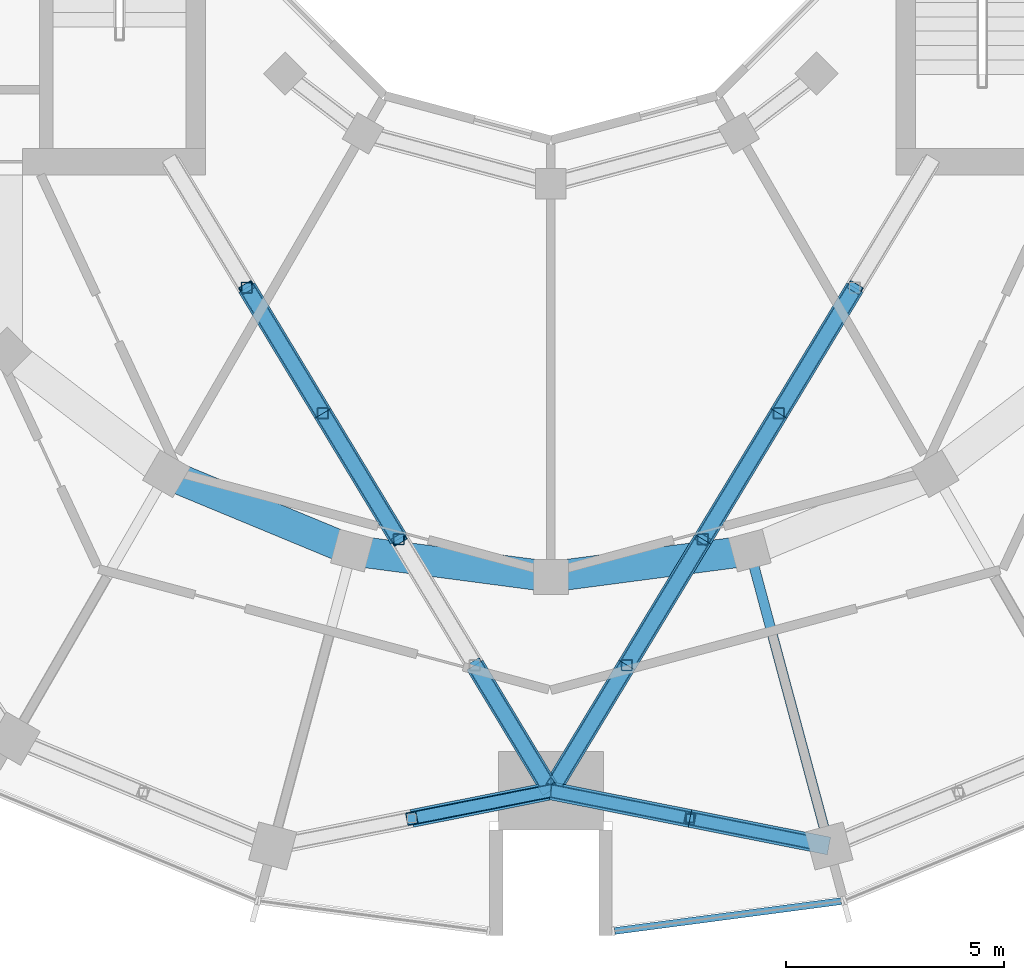
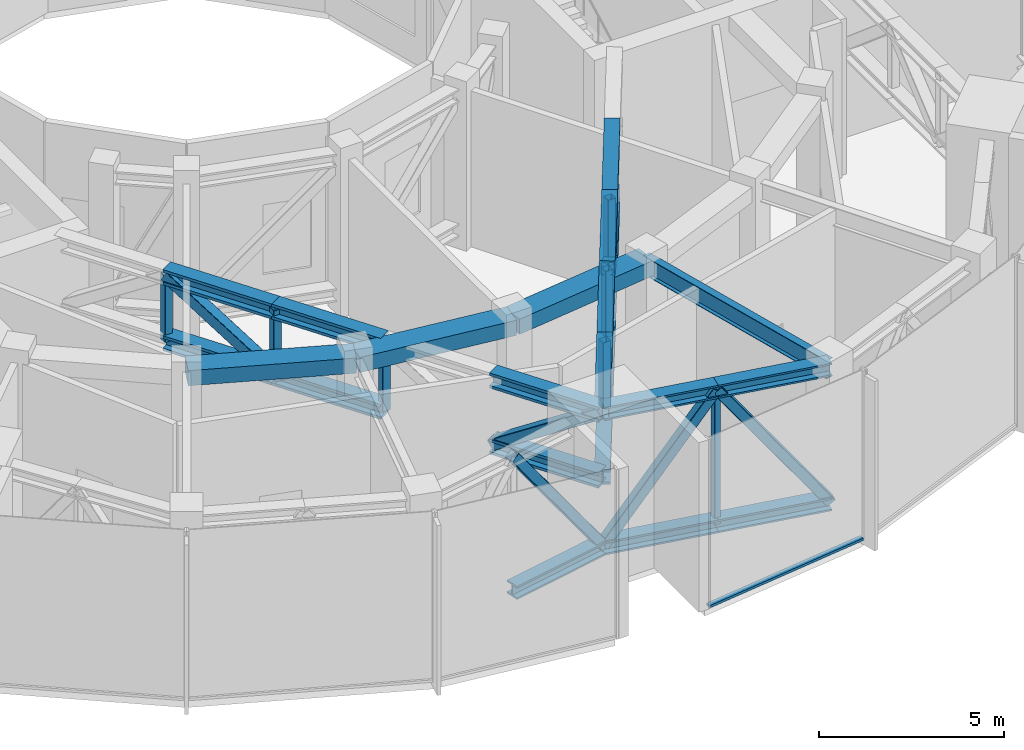
# One storey, part 3 of 18: 37 members, 4 beams, 1 element without a shape of its own.
"""IFC4 building model written with IfcOpenShell, lengths in metres."""

from ifc_helpers import new_model, si_unit, direction, frame, origin, origin_2d, place, context, subcontext, project, spatial, rectangle, hollow_rectangle, i_section, extrude, material, layer, layer_set, material_profile, profile_set, type_object, element, aggregate, save


model = new_model("IFC4")

# Units and contexts
model_context = context("Model", 3, precision=1e-05, world=origin(), true_north=direction((0.0, 1.0)))
body_context = subcontext(model_context, "Body", "Model", "MODEL_VIEW")
ifc_project = project(units=[si_unit("LENGTHUNIT", "METRE"), si_unit("AREAUNIT", "SQUARE_METRE"), si_unit("VOLUMEUNIT", "CUBIC_METRE"), si_unit("PLANEANGLEUNIT", "RADIAN"), si_unit("MASSUNIT", "GRAM", prefix="KILO")], contexts=[model_context])

# Site, building, storey
site_placement = place(None, origin())
site = spatial("IfcSite", under=ifc_project, at=site_placement, CompositionType="ELEMENT")
building_placement = place(site_placement, origin())
building = spatial("IfcBuilding", under=site, at=building_placement, Name="Torre Brocal", CompositionType="ELEMENT")
storey_placement = place(building_placement, frame((0.0, 0.0, 206.89990234375)))
storey = spatial("IfcBuildingStorey", under=building, at=storey_placement, Name="L48", CompositionType="ELEMENT", Elevation=206.89990234375)

# Member
ifc_material_1 = material(Name="Steel A500 Grade C", Category="steel")
ifc_material_profile_1 = material_profile(ifc_material_1, hollow_rectangle(XDim=0.203125, YDim=0.203125, WallThickness=0.01171875, InnerFilletRadius=0.01171875, OuterFilletRadius=0.023681640625, at=origin_2d()), Name="HSS8X8X1/2")
ifc_profile_set_1 = profile_set([ifc_material_profile_1], Name="Steel A500 Grade C")
member_type_1 = type_object("IfcMemberType", Name="BELT 2 POST HSS8X8X1/2", PredefinedType="POST", material=ifc_profile_set_1)
member_1_placement = place(storey_placement, frame((83.18359375, 51.869140625, 0.6171875), z_axis=(0.0, 0.0, 1.0), x_axis=(1.0, 0.0, 0.0)))
element("IfcMember", 1, at=member_1_placement, inside=storey, type_object=member_type_1, Name="Member BT2-P15", PredefinedType="POST", context=body_context, shape_type="SweptSolid", body=[
    extrude(hollow_rectangle(XDim=0.203125, YDim=0.203125, WallThickness=0.01171875, InnerFilletRadius=0.01171875, OuterFilletRadius=0.023681640625, at=origin_2d()), origin(), (0.0, 0.0, 1.0), 4.44580078125),
])

# Curtain wall, member
ifc_material_2 = material(Name="Aluminium and glass", Category="aluminium")
ifc_layer = layer(ifc_material_2, 0.199951171875)
ifc_layer_set = layer_set([ifc_layer], Name="Aluminium and glass")
curtain_wall_type = type_object("IfcCurtainWallType", Name="CW-1 CURTAIN WALL 5600 HIGH", PredefinedType="NOTDEFINED", material=ifc_layer_set)
curtain_wall_placement = place(storey_placement, origin())
curtain_wall = element("IfcCurtainWall", 2, at=curtain_wall_placement, inside=storey, type_object=curtain_wall_type, Name="CW-1 RUN 19", PredefinedType="NOTDEFINED")
ifc_material_3 = material(Name="Aluminium, dark anodised", Category="aluminium")
ifc_material_profile_2 = material_profile(ifc_material_3, rectangle(XDim=0.159912109375, YDim=0.080078125, at=origin_2d()), Name="CW-1 TRANSOM 160X80")
ifc_profile_set_2 = profile_set([ifc_material_profile_2], Name="Aluminium, dark anodised")
member_type_2 = type_object("IfcMemberType", Name="CW-1 TRANSOM 160X80", PredefinedType="USERDEFINED", material=ifc_profile_set_2)
member_2_placement = place(storey_placement, frame((81.45947265625, 49.29296875, 0.0400390625), z_axis=(0.991442690863, 0.130542677827, 0.0), x_axis=(-0.130542677827, 0.991442690863, 0.0)))
member_2 = element("IfcMember", 3, at=member_2_placement, type_object=member_type_2, Name="CW1-2 transom 1.1", ObjectType="TRANSOM", PredefinedType="USERDEFINED", context=body_context, shape_type="SweptSolid", body=[
    extrude(rectangle(XDim=0.159912109375, YDim=0.080078125, at=origin_2d()), origin(), (0.0, 0.0, 1.0), 5.22900390625),
])
aggregate(curtain_wall, [member_2])

# Members
ifc_material_4 = material(Name="Steel A500 Grade C", Category="steel")
ifc_material_profile_3 = material_profile(ifc_material_4, hollow_rectangle(XDim=0.25390625, YDim=0.25390625, WallThickness=0.01171875, InnerFilletRadius=0.01171875, OuterFilletRadius=0.023681640625, at=origin_2d()), Name="HSS10X10X1/2")
ifc_profile_set_3 = profile_set([ifc_material_profile_3], Name="Steel A500 Grade C")
member_type_3 = type_object("IfcMemberType", Name="OUTRIGGER 2 POST HSS10X10X1/2", PredefinedType="POST", material=ifc_profile_set_3)
for number, where, z_axis, x_axis, name in (
    (4, (85.219970703125, 61.139892578125, 2.848876953125), (0.0, 0.0, 1.0), (1.0, 0.0, 0.0), "Member OT2-P16"),
    (5, (83.47998046875, 58.260009765625, 2.848876953125), (0.0, 0.0, 1.0), (1.0, 0.0, 0.0), "Member OT2-P17"),
    (6, (81.739990234375, 55.3798828125, 2.848876953125), (0.0, 0.0, 1.0), (1.0, 0.0, 0.0), "Member OT2-P18"),
    (7, (73.0400390625, 64.02001953125, 2.848876953125), (0.0, 0.0, 1.0), (1.0, 0.0, 0.0), "Member OT2-P19"),
    (8, (74.780029296875, 61.139892578125, 2.848876953125), (0.0, 0.0, 1.0), (1.0, 0.0, 0.0), "Member OT2-P20"),
    (9, (76.52001953125, 58.260009765625, 2.848876953125), (0.0, 0.0, 1.0), (1.0, 0.0, 0.0), "Member OT2-P21"),
):
    element("IfcMember", number, at=place(storey_placement, frame(where, z_axis=z_axis, x_axis=x_axis)), inside=storey, type_object=member_type_3, Name=name, PredefinedType="POST", context=body_context, shape_type="SweptSolid", body=[
        extrude(hollow_rectangle(XDim=0.25390625, YDim=0.25390625, WallThickness=0.01171875, InnerFilletRadius=0.01171875, OuterFilletRadius=0.023681640625, at=origin_2d()), origin(), (0.0, 0.0, 1.0), 2.182373046875),
    ])

# Beams
ifc_material_5 = material(Name="Steel A992", Category="steel")
ifc_material_profile_4 = material_profile(ifc_material_5, i_section(OverallWidth=0.22900390625, OverallDepth=0.612060546875, WebThickness=0.011962890625, FlangeThickness=0.01953125, at=origin_2d()), Name="W24X84")
ifc_profile_set_4 = profile_set([ifc_material_profile_4], Name="Steel A992")
beam_type_1 = type_object("IfcBeamType", Name="PLANT FLOOR BEAM TOP 5280 W24X84", PredefinedType="BEAM", material=ifc_profile_set_4)
beam_1_placement = place(storey_placement, frame((84.55517578125, 57.999755859375, 4.97412109375), z_axis=(0.258823832372, -0.965924543531, 0.0), x_axis=(0.965924543531, 0.258823832372, 0.0)))
element("IfcBeam", 10, at=beam_1_placement, inside=storey, type_object=beam_type_1, Name="Beam SF-02", PredefinedType="BEAM", context=body_context, shape_type="SweptSolid", body=[
    extrude(i_section(OverallWidth=0.22900390625, OverallDepth=0.612060546875, WebThickness=0.011962890625, FlangeThickness=0.01953125, at=origin_2d()), origin(), (0.0, 0.0, 1.0), 7.0),
])
ifc_material_6 = material(Name="Concrete C50", Category="concrete")
ifc_material_profile_5 = material_profile(ifc_material_6, rectangle(XDim=0.699951171875, YDim=0.5, at=origin_2d()), Name="RC 700X500")
ifc_profile_set_5 = profile_set([ifc_material_profile_5], Name="Concrete C50")
beam_type_2 = type_object("IfcBeamType", Name="RC BEAM 700X500 C50 TOP 5280", PredefinedType="BEAM", material=ifc_profile_set_5)
beam_2_placement = place(storey_placement, frame((71.199951171875, 59.758056640625, 5.030029296875), z_axis=(0.923878240166, -0.382686552348, 0.0), x_axis=(0.382686552348, 0.923878240166, 0.0)))
element("IfcBeam", 11, at=beam_2_placement, inside=storey, type_object=beam_type_2, Name="Beam BT-36", PredefinedType="BEAM", context=body_context, shape_type="SweptSolid", body=[
    extrude(rectangle(XDim=0.699951171875, YDim=0.5, at=origin_2d()), origin(), (0.0, 0.0, 1.0), 4.5947265625),
])
for number, where, z_axis, x_axis, name in (
    (12, (75.44482421875, 57.999755859375, 5.030029296875), (0.991440544449, -0.130558978332, 0.0), (0.130558978332, 0.991440544449, 0.0), "Beam BT-36"),
    (13, (80.0, 57.39990234375, 5.030029296875), (0.991440544449, 0.130558978332, 0.0), (-0.130558978332, 0.991440544449, 0.0), "Beam BT-36"),
):
    element("IfcBeam", number, at=place(storey_placement, frame(where, z_axis=z_axis, x_axis=x_axis)), inside=storey, type_object=beam_type_2, Name=name, PredefinedType="BEAM", context=body_context, shape_type="SweptSolid", body=[
        extrude(rectangle(XDim=0.699951171875, YDim=0.5, at=origin_2d()), origin(), (0.0, 0.0, 1.0), 4.594482421875),
    ])

# Members
ifc_material_7 = material(Name="Steel A992", Category="steel")
ifc_material_profile_6 = material_profile(ifc_material_7, i_section(OverallWidth=0.41162109375, OverallDepth=0.434326171875, WebThickness=0.035888671875, FlangeThickness=0.057373046875, at=origin_2d()), Name="W14X311")
ifc_profile_set_6 = profile_set([ifc_material_profile_6], Name="Steel A992")
member_type_4 = type_object("IfcMemberType", Name="TRUSS BOTTOM CHORD W14X311", PredefinedType="CHORD", material=ifc_profile_set_6)
for number, where, z_axis, x_axis, name in (
    (14, (76.81640625, 51.869140625, 0.6171875), (0.980926328685, 0.194379879856, 0.0), (-0.194379879856, 0.980926328685, 0.0), "Member BT2-C52"),
    (15, (80.0, 52.5, 0.6171875), (0.980926328685, -0.194379879856, 0.0), (0.194379879856, 0.980926328685, 0.0), "Member BT2-C54"),
):
    element("IfcMember", number, at=place(storey_placement, frame(where, z_axis=z_axis, x_axis=x_axis)), inside=storey, type_object=member_type_4, Name=name, PredefinedType="CHORD", context=body_context, shape_type="SweptSolid", body=[
        extrude(i_section(OverallWidth=0.41162109375, OverallDepth=0.434326171875, WebThickness=0.035888671875, FlangeThickness=0.057373046875, at=origin_2d()), origin(), (0.0, 0.0, 1.0), 3.24560546875),
    ])
member_3_placement = place(storey_placement, frame((83.18359375, 51.869140625, 0.6171875), z_axis=(0.980923486126, -0.194394224108, 0.0), x_axis=(0.194394224108, 0.980923486126, 0.0)))
element("IfcMember", 16, at=member_3_placement, inside=storey, type_object=member_type_4, Name="Member BT2-C56", PredefinedType="CHORD", context=body_context, shape_type="SweptSolid", body=[
    extrude(i_section(OverallWidth=0.41162109375, OverallDepth=0.434326171875, WebThickness=0.035888671875, FlangeThickness=0.057373046875, at=origin_2d()), origin(), (0.0, 0.0, 1.0), 3.245361328125),
])
ifc_material_8 = material(Name="Steel A992", Category="steel")
ifc_material_profile_7 = material_profile(ifc_material_8, i_section(OverallWidth=0.431884765625, OverallDepth=0.497802734375, WebThickness=0.0556640625, FlangeThickness=0.0888671875, at=origin_2d()), Name="W14X500")
ifc_profile_set_7 = profile_set([ifc_material_profile_7], Name="Steel A992")
member_type_5 = type_object("IfcMemberType", Name="TRUSS BOTTOM CHORD W14X500", PredefinedType="CHORD", material=ifc_profile_set_7)
member_4_placement = place(storey_placement, frame((86.9599609375, 64.02001953125, 2.848876953125), z_axis=(-0.517096814817, -0.855926915167, 0.0), x_axis=(0.855926915167, -0.517096814817, 0.0)))
element("IfcMember", 17, at=member_4_placement, inside=storey, type_object=member_type_5, Name="Member OT2-C42", PredefinedType="CHORD", context=body_context, shape_type="SweptSolid", body=[
    extrude(i_section(OverallWidth=0.431884765625, OverallDepth=0.497802734375, WebThickness=0.0556640625, FlangeThickness=0.0888671875, at=origin_2d()), origin(), (0.0, 0.0, 1.0), 3.364990234375),
])
member_5_placement = place(storey_placement, frame((85.219970703125, 61.139892578125, 2.848876953125), z_axis=(-0.517128928912, -0.855907513042, 0.0), x_axis=(0.855907513042, -0.517128928912, 0.0)))
element("IfcMember", 18, at=member_5_placement, inside=storey, type_object=member_type_5, Name="Member OT2-C44", PredefinedType="CHORD", context=body_context, shape_type="SweptSolid", body=[
    extrude(i_section(OverallWidth=0.431884765625, OverallDepth=0.497802734375, WebThickness=0.0556640625, FlangeThickness=0.0888671875, at=origin_2d()), origin(), (0.0, 0.0, 1.0), 3.36474609375),
])
member_6_placement = place(storey_placement, frame((83.47998046875, 58.260009765625, 2.848876953125), z_axis=(-0.517096814817, -0.855926915167, 0.0), x_axis=(0.855926915167, -0.517096814817, 0.0)))
element("IfcMember", 19, at=member_6_placement, inside=storey, type_object=member_type_5, Name="Member OT2-C46", PredefinedType="CHORD", context=body_context, shape_type="SweptSolid", body=[
    extrude(i_section(OverallWidth=0.431884765625, OverallDepth=0.497802734375, WebThickness=0.0556640625, FlangeThickness=0.0888671875, at=origin_2d()), origin(), (0.0, 0.0, 1.0), 3.364990234375),
])
member_7_placement = place(storey_placement, frame((81.739990234375, 55.3798828125, 2.848876953125), z_axis=(-0.517128928912, -0.855907513042, 0.0), x_axis=(0.855907513042, -0.517128928912, 0.0)))
element("IfcMember", 20, at=member_7_placement, inside=storey, type_object=member_type_5, Name="Member OT2-C48", PredefinedType="CHORD", context=body_context, shape_type="SweptSolid", body=[
    extrude(i_section(OverallWidth=0.431884765625, OverallDepth=0.497802734375, WebThickness=0.0556640625, FlangeThickness=0.0888671875, at=origin_2d()), origin(), (0.0, 0.0, 1.0), 3.36474609375),
])
member_8_placement = place(storey_placement, frame((73.0400390625, 64.02001953125, 2.848876953125), z_axis=(0.517096814817, -0.855926915167, 0.0), x_axis=(0.855926915167, 0.517096814817, 0.0)))
element("IfcMember", 21, at=member_8_placement, inside=storey, type_object=member_type_5, Name="Member OT2-C52", PredefinedType="CHORD", context=body_context, shape_type="SweptSolid", body=[
    extrude(i_section(OverallWidth=0.431884765625, OverallDepth=0.497802734375, WebThickness=0.0556640625, FlangeThickness=0.0888671875, at=origin_2d()), origin(), (0.0, 0.0, 1.0), 3.364990234375),
])
for number, where, z_axis, x_axis, name in (
    (22, (74.780029296875, 61.139892578125, 2.848876953125), (0.517128928912, -0.855907513042, 0.0), (0.855907513042, 0.517128928912, 0.0), "Member OT2-C54"),
    (23, (78.260009765625, 55.3798828125, 2.848876953125), (0.517128928912, -0.855907513042, 0.0), (0.855907513042, 0.517128928912, 0.0), "Member OT2-C58"),
):
    element("IfcMember", number, at=place(storey_placement, frame(where, z_axis=z_axis, x_axis=x_axis)), inside=storey, type_object=member_type_5, Name=name, PredefinedType="CHORD", context=body_context, shape_type="SweptSolid", body=[
        extrude(i_section(OverallWidth=0.431884765625, OverallDepth=0.497802734375, WebThickness=0.0556640625, FlangeThickness=0.0888671875, at=origin_2d()), origin(), (0.0, 0.0, 1.0), 3.36474609375),
    ])
ifc_material_9 = material(Name="Steel A500 Grade C", Category="steel")
ifc_material_profile_8 = material_profile(ifc_material_9, hollow_rectangle(XDim=0.3046875, YDim=0.3046875, WallThickness=0.014892578125, InnerFilletRadius=0.014892578125, OuterFilletRadius=0.029541015625, at=origin_2d()), Name="HSS12X12X5/8")
ifc_profile_set_8 = profile_set([ifc_material_profile_8], Name="Steel A500 Grade C")
member_type_6 = type_object("IfcMemberType", Name="TRUSS DIAGONAL HSS12X12X5/8", PredefinedType="BRACE", material=ifc_profile_set_8)
for number, where, z_axis, x_axis, name in (
    (24, (76.81640625, 51.869140625, 5.06298828125), (0.578372739778, 0.114610058251, -0.807681563755), (-0.194379879856, 0.980926328685, 0.0), "Member BT2-D26"),
    (25, (80.0, 52.5, 0.6171875), (0.578372739778, -0.114610058251, 0.807681563755), (0.194379879856, 0.980926328685, 0.0), "Member BT2-D27"),
):
    element("IfcMember", number, at=place(storey_placement, frame(where, z_axis=z_axis, x_axis=x_axis)), inside=storey, type_object=member_type_6, Name=name, PredefinedType="BRACE", context=body_context, shape_type="SweptSolid", body=[
        extrude(hollow_rectangle(XDim=0.3046875, YDim=0.3046875, WallThickness=0.014892578125, InnerFilletRadius=0.014892578125, OuterFilletRadius=0.029541015625, at=origin_2d()), origin(), (0.0, 0.0, 1.0), 5.50439453125),
    ])
member_9_placement = place(storey_placement, frame((83.18359375, 51.869140625, 5.06298828125), z_axis=(0.578343221896, -0.114612998342, -0.807702283207), x_axis=(0.194394224108, 0.980923486126, 0.0)))
element("IfcMember", 26, at=member_9_placement, inside=storey, type_object=member_type_6, Name="Member BT2-D28", PredefinedType="BRACE", context=body_context, shape_type="SweptSolid", body=[
    extrude(hollow_rectangle(XDim=0.3046875, YDim=0.3046875, WallThickness=0.014892578125, InnerFilletRadius=0.014892578125, OuterFilletRadius=0.029541015625, at=origin_2d()), origin(), (0.0, 0.0, 1.0), 5.504150390625),
])
ifc_material_10 = material(Name="Steel A500 Grade C", Category="steel")
ifc_material_profile_9 = material_profile(ifc_material_10, hollow_rectangle(XDim=0.355712890625, YDim=0.355712890625, WallThickness=0.014892578125, InnerFilletRadius=0.014892578125, OuterFilletRadius=0.029541015625, at=origin_2d()), Name="HSS14X14X5/8")
ifc_profile_set_9 = profile_set([ifc_material_profile_9], Name="Steel A500 Grade C")
member_type_7 = type_object("IfcMemberType", Name="TRUSS DIAGONAL HSS14X14X5/8", PredefinedType="BRACE", material=ifc_profile_set_9)
member_10_placement = place(storey_placement, frame((86.9599609375, 64.02001953125, 5.03125), z_axis=(-0.433840619359, -0.718116709216, -0.544142177137), x_axis=(0.855926915167, -0.517096814817, 0.0)))
element("IfcMember", 27, at=member_10_placement, inside=storey, type_object=member_type_7, Name="Member OT2-D21", PredefinedType="BRACE", context=body_context, shape_type="SweptSolid", body=[
    extrude(hollow_rectangle(XDim=0.355712890625, YDim=0.355712890625, WallThickness=0.014892578125, InnerFilletRadius=0.014892578125, OuterFilletRadius=0.029541015625, at=origin_2d()), origin(), (0.0, 0.0, 1.0), 4.0107421875),
])
member_11_placement = place(storey_placement, frame((85.219970703125, 61.139892578125, 2.848876953125), z_axis=(-0.433859584618, -0.718087226063, 0.544165964206), x_axis=(0.855907513042, -0.517128928912, 0.0)))
element("IfcMember", 28, at=member_11_placement, inside=storey, type_object=member_type_7, Name="Member OT2-D22", PredefinedType="BRACE", context=body_context, shape_type="SweptSolid", body=[
    extrude(hollow_rectangle(XDim=0.355712890625, YDim=0.355712890625, WallThickness=0.014892578125, InnerFilletRadius=0.014892578125, OuterFilletRadius=0.029541015625, at=origin_2d()), origin(), (0.0, 0.0, 1.0), 4.010498046875),
])
member_12_placement = place(storey_placement, frame((83.47998046875, 58.260009765625, 5.03125), z_axis=(-0.433840619359, -0.718116709216, -0.544142177137), x_axis=(0.855926915167, -0.517096814817, 0.0)))
element("IfcMember", 29, at=member_12_placement, inside=storey, type_object=member_type_7, Name="Member OT2-D23", PredefinedType="BRACE", context=body_context, shape_type="SweptSolid", body=[
    extrude(hollow_rectangle(XDim=0.355712890625, YDim=0.355712890625, WallThickness=0.014892578125, InnerFilletRadius=0.014892578125, OuterFilletRadius=0.029541015625, at=origin_2d()), origin(), (0.0, 0.0, 1.0), 4.0107421875),
])
member_13_placement = place(storey_placement, frame((81.739990234375, 55.3798828125, 2.848876953125), z_axis=(-0.433859584618, -0.718087226063, 0.544165964206), x_axis=(0.855907513042, -0.517128928912, 0.0)))
element("IfcMember", 30, at=member_13_placement, inside=storey, type_object=member_type_7, Name="Member OT2-D24", PredefinedType="BRACE", context=body_context, shape_type="SweptSolid", body=[
    extrude(hollow_rectangle(XDim=0.355712890625, YDim=0.355712890625, WallThickness=0.014892578125, InnerFilletRadius=0.014892578125, OuterFilletRadius=0.029541015625, at=origin_2d()), origin(), (0.0, 0.0, 1.0), 4.010498046875),
])
member_14_placement = place(storey_placement, frame((73.0400390625, 64.02001953125, 5.03125), z_axis=(0.433840619359, -0.718116709216, -0.544142177137), x_axis=(0.855926915167, 0.517096814817, 0.0)))
element("IfcMember", 31, at=member_14_placement, inside=storey, type_object=member_type_7, Name="Member OT2-D26", PredefinedType="BRACE", context=body_context, shape_type="SweptSolid", body=[
    extrude(hollow_rectangle(XDim=0.355712890625, YDim=0.355712890625, WallThickness=0.014892578125, InnerFilletRadius=0.014892578125, OuterFilletRadius=0.029541015625, at=origin_2d()), origin(), (0.0, 0.0, 1.0), 4.0107421875),
])
for number, where, z_axis, x_axis, name in (
    (32, (74.780029296875, 61.139892578125, 2.848876953125), (0.433859584618, -0.718087226063, 0.544165964206), (0.855907513042, 0.517128928912, 0.0), "Member OT2-D27"),
    (33, (78.260009765625, 55.3798828125, 2.848876953125), (0.433859584618, -0.718087226063, 0.544165964206), (0.855907513042, 0.517128928912, 0.0), "Member OT2-D29"),
):
    element("IfcMember", number, at=place(storey_placement, frame(where, z_axis=z_axis, x_axis=x_axis)), inside=storey, type_object=member_type_7, Name=name, PredefinedType="BRACE", context=body_context, shape_type="SweptSolid", body=[
        extrude(hollow_rectangle(XDim=0.355712890625, YDim=0.355712890625, WallThickness=0.014892578125, InnerFilletRadius=0.014892578125, OuterFilletRadius=0.029541015625, at=origin_2d()), origin(), (0.0, 0.0, 1.0), 4.010498046875),
    ])
ifc_material_11 = material(Name="Steel A992", Category="steel")
ifc_material_profile_10 = material_profile(ifc_material_11, i_section(OverallWidth=0.41162109375, OverallDepth=0.434326171875, WebThickness=0.035888671875, FlangeThickness=0.057373046875, at=origin_2d()), Name="W14X311")
ifc_profile_set_10 = profile_set([ifc_material_profile_10], Name="Steel A992")
member_type_8 = type_object("IfcMemberType", Name="TRUSS TOP CHORD W14X311", PredefinedType="CHORD", material=ifc_profile_set_10)
member_15_placement = place(storey_placement, frame((80.0, 52.5, 5.06298828125), z_axis=(0.980926328685, -0.194379879856, 0.0), x_axis=(0.194379879856, 0.980926328685, 0.0)))
element("IfcMember", 34, at=member_15_placement, inside=storey, type_object=member_type_8, Name="Member BT2-C53", PredefinedType="CHORD", context=body_context, shape_type="SweptSolid", body=[
    extrude(i_section(OverallWidth=0.41162109375, OverallDepth=0.434326171875, WebThickness=0.035888671875, FlangeThickness=0.057373046875, at=origin_2d()), origin(), (0.0, 0.0, 1.0), 3.24560546875),
])
member_16_placement = place(storey_placement, frame((83.18359375, 51.869140625, 5.06298828125), z_axis=(0.980923486126, -0.194394224108, 0.0), x_axis=(0.194394224108, 0.980923486126, 0.0)))
element("IfcMember", 35, at=member_16_placement, inside=storey, type_object=member_type_8, Name="Member BT2-C55", PredefinedType="CHORD", context=body_context, shape_type="SweptSolid", body=[
    extrude(i_section(OverallWidth=0.41162109375, OverallDepth=0.434326171875, WebThickness=0.035888671875, FlangeThickness=0.057373046875, at=origin_2d()), origin(), (0.0, 0.0, 1.0), 3.245361328125),
])
ifc_material_12 = material(Name="Steel A992", Category="steel")
ifc_material_profile_11 = material_profile(ifc_material_12, i_section(OverallWidth=0.431884765625, OverallDepth=0.497802734375, WebThickness=0.0556640625, FlangeThickness=0.0888671875, at=origin_2d()), Name="W14X500")
ifc_profile_set_11 = profile_set([ifc_material_profile_11], Name="Steel A992")
member_type_9 = type_object("IfcMemberType", Name="TRUSS TOP CHORD W14X500", PredefinedType="CHORD", material=ifc_profile_set_11)
member_17_placement = place(storey_placement, frame((86.9599609375, 64.02001953125, 5.03125), z_axis=(-0.517096814817, -0.855926915167, 0.0), x_axis=(0.855926915167, -0.517096814817, 0.0)))
element("IfcMember", 36, at=member_17_placement, inside=storey, type_object=member_type_9, Name="Member OT2-C41", PredefinedType="CHORD", context=body_context, shape_type="SweptSolid", body=[
    extrude(i_section(OverallWidth=0.431884765625, OverallDepth=0.497802734375, WebThickness=0.0556640625, FlangeThickness=0.0888671875, at=origin_2d()), origin(), (0.0, 0.0, 1.0), 3.364990234375),
])
member_18_placement = place(storey_placement, frame((85.219970703125, 61.139892578125, 5.03125), z_axis=(-0.517128928912, -0.855907513042, 0.0), x_axis=(0.855907513042, -0.517128928912, 0.0)))
element("IfcMember", 37, at=member_18_placement, inside=storey, type_object=member_type_9, Name="Member OT2-C43", PredefinedType="CHORD", context=body_context, shape_type="SweptSolid", body=[
    extrude(i_section(OverallWidth=0.431884765625, OverallDepth=0.497802734375, WebThickness=0.0556640625, FlangeThickness=0.0888671875, at=origin_2d()), origin(), (0.0, 0.0, 1.0), 3.36474609375),
])
member_19_placement = place(storey_placement, frame((83.47998046875, 58.260009765625, 5.03125), z_axis=(-0.517096814817, -0.855926915167, 0.0), x_axis=(0.855926915167, -0.517096814817, 0.0)))
element("IfcMember", 38, at=member_19_placement, inside=storey, type_object=member_type_9, Name="Member OT2-C45", PredefinedType="CHORD", context=body_context, shape_type="SweptSolid", body=[
    extrude(i_section(OverallWidth=0.431884765625, OverallDepth=0.497802734375, WebThickness=0.0556640625, FlangeThickness=0.0888671875, at=origin_2d()), origin(), (0.0, 0.0, 1.0), 3.364990234375),
])
member_20_placement = place(storey_placement, frame((81.739990234375, 55.3798828125, 5.03125), z_axis=(-0.517128928912, -0.855907513042, 0.0), x_axis=(0.855907513042, -0.517128928912, 0.0)))
element("IfcMember", 39, at=member_20_placement, inside=storey, type_object=member_type_9, Name="Member OT2-C47", PredefinedType="CHORD", context=body_context, shape_type="SweptSolid", body=[
    extrude(i_section(OverallWidth=0.431884765625, OverallDepth=0.497802734375, WebThickness=0.0556640625, FlangeThickness=0.0888671875, at=origin_2d()), origin(), (0.0, 0.0, 1.0), 3.36474609375),
])
member_21_placement = place(storey_placement, frame((73.0400390625, 64.02001953125, 5.03125), z_axis=(0.517096814817, -0.855926915167, 0.0), x_axis=(0.855926915167, 0.517096814817, 0.0)))
element("IfcMember", 40, at=member_21_placement, inside=storey, type_object=member_type_9, Name="Member OT2-C51", PredefinedType="CHORD", context=body_context, shape_type="SweptSolid", body=[
    extrude(i_section(OverallWidth=0.431884765625, OverallDepth=0.497802734375, WebThickness=0.0556640625, FlangeThickness=0.0888671875, at=origin_2d()), origin(), (0.0, 0.0, 1.0), 3.364990234375),
])
for number, where, z_axis, x_axis, name in (
    (41, (74.780029296875, 61.139892578125, 5.03125), (0.517128928912, -0.855907513042, 0.0), (0.855907513042, 0.517128928912, 0.0), "Member OT2-C53"),
    (42, (78.260009765625, 55.3798828125, 5.03125), (0.517128928912, -0.855907513042, 0.0), (0.855907513042, 0.517128928912, 0.0), "Member OT2-C57"),
):
    element("IfcMember", number, at=place(storey_placement, frame(where, z_axis=z_axis, x_axis=x_axis)), inside=storey, type_object=member_type_9, Name=name, PredefinedType="CHORD", context=body_context, shape_type="SweptSolid", body=[
        extrude(i_section(OverallWidth=0.431884765625, OverallDepth=0.497802734375, WebThickness=0.0556640625, FlangeThickness=0.0888671875, at=origin_2d()), origin(), (0.0, 0.0, 1.0), 3.36474609375),
    ])

save(model, "model.ifc")
